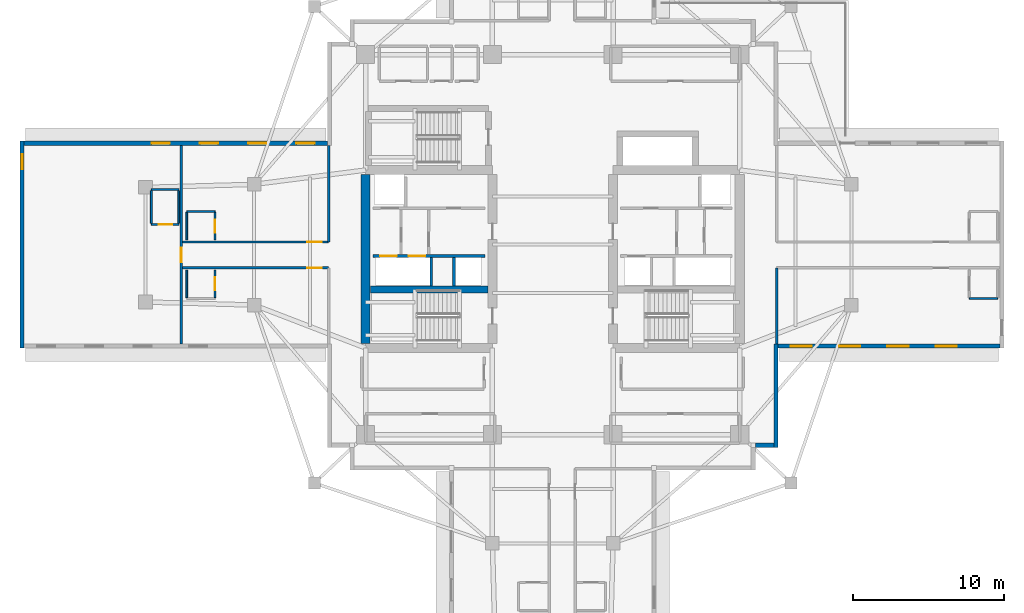
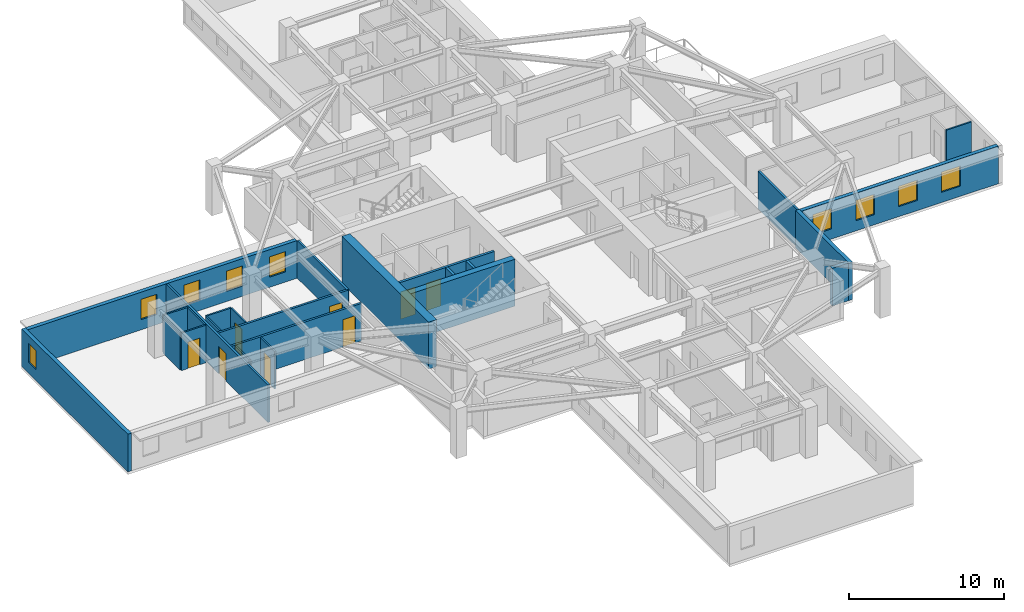
# One storey, part 4 of 13: 25 walls, 9 windows, 8 doors, 17 openings.
"""IFC4 building model written with IfcOpenShell, lengths in metres."""

from ifc_helpers import new_model, si_unit, direction, frame, frame_2d, origin, place, context, subcontext, project, spatial, rectangle, extrude, material, layer, layer_set, type_object, element, fill, save


model = new_model("IFC4")

# Units and contexts
model_context = context("Model", 3, precision=1e-05, world=origin(), true_north=direction((0.0, 1.0)))
body_context = subcontext(model_context, "Body", "Model", "MODEL_VIEW")
ifc_project = project(units=[si_unit("LENGTHUNIT", "METRE"), si_unit("AREAUNIT", "SQUARE_METRE"), si_unit("VOLUMEUNIT", "CUBIC_METRE"), si_unit("PLANEANGLEUNIT", "RADIAN"), si_unit("MASSUNIT", "GRAM", prefix="KILO")], contexts=[model_context])

# Site, building, storey
site_placement = place(None, origin())
site = spatial("IfcSite", under=ifc_project, at=site_placement, CompositionType="ELEMENT")
building_placement = place(site_placement, origin())
building = spatial("IfcBuilding", under=site, at=building_placement, Name="Qingluan Cross Belvedere", CompositionType="ELEMENT")
storey_placement = place(building_placement, frame((0.0, 0.0, 183.89990234375)))
storey = spatial("IfcBuildingStorey", under=building, at=storey_placement, Name="L46", CompositionType="ELEMENT", Elevation=183.89990234375)

# Walls
ifc_material_1 = material(Name="Concrete C50", Category="concrete")
ifc_layer_1 = layer(ifc_material_1, 0.449951171875, Name="CoreShearWall_450")
ifc_layer_set_1 = layer_set([ifc_layer_1], Name="Concrete C50")
wall_type_1 = type_object("IfcWallType", Name="CoreShearWall_450", PredefinedType="SHEAR", material=ifc_layer_set_1)
wall_1_placement = place(storey_placement, frame((-12.094970703125, -2.9599609375, 0.0), z_axis=(0.0, 0.0, 1.0), x_axis=(1.0, 0.0, 0.0)))
element("IfcWall", 1, at=wall_1_placement, inside=storey, type_object=wall_type_1, Name="Split core W shear wall L46-M", PredefinedType="SHEAR", context=body_context, shape_type="SweptSolid", body=[
    extrude(rectangle(XDim=7.7900390625, YDim=0.449951171875, at=frame_2d((3.89501953125, 0.0))), origin(), (0.0, 0.0, 1.0), 3.7001953125),
])
ifc_material_2 = material(Name="Concrete C60", Category="concrete")
ifc_layer_2 = layer(ifc_material_2, 0.60009765625, Name="CoreShearWall_600")
ifc_layer_set_2 = layer_set([ifc_layer_2], Name="Concrete C60")
wall_type_2 = type_object("IfcWallType", Name="CoreShearWall_600", PredefinedType="SHEAR", material=ifc_layer_set_2)
wall_2_placement = place(storey_placement, frame((-12.39990234375, -6.544921875, 0.0), z_axis=(0.0, 0.0, 1.0), x_axis=(0.0, 1.0, 0.0)))
element("IfcWall", 2, at=wall_2_placement, inside=storey, type_object=wall_type_2, Name="Split core W shear wall L46-W", PredefinedType="SHEAR", context=body_context, shape_type="SweptSolid", body=[
    extrude(rectangle(XDim=11.18994140625, YDim=0.60009765625, at=frame_2d((5.594970703125, 0.0))), origin(), (0.0, 0.0, 1.0), 3.7001953125),
])
ifc_material_3 = material(Name="Gypsum plasterboard on steel stud acoustic partition", Category="steel")
ifc_layer_3 = layer(ifc_material_3, 0.159912109375, Name="CorridorPartition_160")
ifc_layer_set_3 = layer_set([ifc_layer_3], Name="Gypsum plasterboard on steel stud acoustic partition")
wall_type_3 = type_object("IfcWallType", Name="CorridorPartition_160", PredefinedType="PARTITIONING", material=ifc_layer_set_3)
wall_3_placement = place(storey_placement, frame((14.85009765625, -1.5400390625, 0.0), z_axis=(0.0, 0.0, 1.0), x_axis=(0.0, -1.0, 0.0)))
element("IfcWall", 3, at=wall_3_placement, inside=storey, type_object=wall_type_3, Name="Partition L46:E:s1", PredefinedType="PARTITIONING", context=body_context, shape_type="SweptSolid", body=[
    extrude(rectangle(XDim=5.031982421875, YDim=0.159912109375, at=frame_2d((2.51611328125, 0.0))), origin(), (0.0, 0.0, 1.0), 2.960205078125),
])

# Wall, opening, door
wall_4_placement = place(storey_placement, frame((-14.85009765625, 0.179931640625, 0.0), z_axis=(0.0, 0.0, 1.0), x_axis=(-1.0, 0.0, 0.0)))
wall_4 = element("IfcWall", 4, at=wall_4_placement, inside=storey, type_object=wall_type_3, Name="Partition L46:W:c0", PredefinedType="PARTITIONING", context=body_context, shape_type="SweptSolid", body=[
    extrude(rectangle(XDim=9.699951171875, YDim=0.159912109375, at=frame_2d((4.85009765625, 0.0))), origin(), (0.0, 0.0, 1.0), 2.960205078125),
])
opening_1_placement = place(wall_4_placement, frame((0.449951171875, 0.0, 0.0)))
opening_1 = element("IfcOpeningElement", 5, at=opening_1_placement, cuts=wall_4, Name="Opening GD-10", PredefinedType="OPENING", context=body_context, shape_type="SweptSolid", body=[
    extrude(rectangle(XDim=0.9599609375, YDim=2.14990234375, at=frame_2d((0.47998046875, 1.074951171875))), frame((0.0, 0.08984375, 0.0), z_axis=(0.0, -1.0, 0.0), x_axis=(1.0, 0.0, 0.0)), (0.0, 0.0, 1.0), 0.179931640625),
])
ifc_material_4 = material(Name="Timber oak fire-rated acoustic guestroom door", Category="wood")
door_type_1 = type_object("IfcDoorType", Name="GuestEntryDoor_FD60", OperationType="NOTDEFINED", PredefinedType="DOOR", material=ifc_material_4)
door_1_placement = place(opening_1_placement, origin())
door_1 = element("IfcDoor", 6, at=door_1_placement, inside=storey, type_object=door_type_1, Name="Guest entry fire door 4603", OperationType="SINGLE_SWING_RIGHT", OverallHeight=2.14990234375, OverallWidth=0.9599609375, PredefinedType="DOOR", context=body_context, shape_type="SweptSolid", body=[
    extrude(rectangle(XDim=0.9599609375, YDim=2.14990234375, at=frame_2d((0.47998046875, 1.074951171875))), frame((0.0, 0.02490234375, 0.0), z_axis=(0.0, -1.0, 0.0), x_axis=(1.0, 0.0, 0.0)), (0.0, 0.0, 1.0), 0.050048828125),
])
fill(opening_1, door_1)

# Wall
wall_5_placement = place(storey_placement, frame((-14.85009765625, 0.179931640625, 0.0), z_axis=(0.0, 0.0, 1.0), x_axis=(0.0, 1.0, 0.0)))
element("IfcWall", 7, at=wall_5_placement, inside=storey, type_object=wall_type_3, Name="Partition L46:W:s0", PredefinedType="PARTITIONING", context=body_context, shape_type="SweptSolid", body=[
    extrude(rectangle(XDim=6.39208984375, YDim=0.159912109375, at=frame_2d((3.196044921875, 0.0))), origin(), (0.0, 0.0, 1.0), 2.960205078125),
])

# Wall, opening, door
wall_6_placement = place(storey_placement, frame((-14.85009765625, -1.5400390625, 0.0), z_axis=(0.0, 0.0, 1.0), x_axis=(-1.0, 0.0, 0.0)))
wall_6 = element("IfcWall", 8, at=wall_6_placement, inside=storey, type_object=wall_type_3, Name="Partition L46:W:c1", PredefinedType="PARTITIONING", context=body_context, shape_type="SweptSolid", body=[
    extrude(rectangle(XDim=9.699951171875, YDim=0.159912109375, at=frame_2d((4.85009765625, 0.0))), origin(), (0.0, 0.0, 1.0), 2.960205078125),
])
opening_2_placement = place(wall_6_placement, frame((0.449951171875, 0.0, 0.0)))
opening_2 = element("IfcOpeningElement", 9, at=opening_2_placement, cuts=wall_6, Name="Opening GD-10", PredefinedType="OPENING", context=body_context, shape_type="SweptSolid", body=[
    extrude(rectangle(XDim=0.9599609375, YDim=2.14990234375, at=frame_2d((0.47998046875, 1.074951171875))), frame((0.0, 0.08984375, 0.0), z_axis=(0.0, -1.0, 0.0), x_axis=(1.0, 0.0, 0.0)), (0.0, 0.0, 1.0), 0.179931640625),
])
door_2_placement = place(opening_2_placement, origin())
door_2 = element("IfcDoor", 10, at=door_2_placement, inside=storey, type_object=door_type_1, Name="Guest entry fire door 4604", OperationType="SINGLE_SWING_RIGHT", OverallHeight=2.14990234375, OverallWidth=0.9599609375, PredefinedType="DOOR", context=body_context, shape_type="SweptSolid", body=[
    extrude(rectangle(XDim=0.9599609375, YDim=2.14990234375, at=frame_2d((0.47998046875, 1.074951171875))), frame((0.0, 0.02490234375, 0.0), z_axis=(0.0, -1.0, 0.0), x_axis=(1.0, 0.0, 0.0)), (0.0, 0.0, 1.0), 0.050048828125),
])
fill(opening_2, door_2)

wall_7_placement = place(storey_placement, frame((-24.6298828125, -6.572021484375, 0.0), z_axis=(0.0, 0.0, 1.0), x_axis=(0.0, 1.0, 0.0)))
wall_7 = element("IfcWall", 11, at=wall_7_placement, inside=storey, type_object=wall_type_3, Name="Partition L46:Wcap:in", PredefinedType="PARTITIONING", context=body_context, shape_type="SweptSolid", body=[
    extrude(rectangle(XDim=13.14404296875, YDim=0.159912109375, at=frame_2d((6.572021484375, 0.0))), origin(), (0.0, 0.0, 1.0), 2.960205078125),
])
opening_3_placement = place(wall_7_placement, frame((5.412109375, 0.0, 0.0)))
opening_3 = element("IfcOpeningElement", 12, at=opening_3_placement, cuts=wall_7, Name="Opening GD-10", PredefinedType="OPENING", context=body_context, shape_type="SweptSolid", body=[
    extrude(rectangle(XDim=0.9599609375, YDim=2.14990234375, at=frame_2d((0.47998046875, 1.074951171875))), frame((0.0, 0.08984375, 0.0), z_axis=(0.0, -1.0, 0.0), x_axis=(1.0, 0.0, 0.0)), (0.0, 0.0, 1.0), 0.179931640625),
])
door_3_placement = place(opening_3_placement, origin())
door_3 = element("IfcDoor", 13, at=door_3_placement, inside=storey, type_object=door_type_1, Name="Presidential suite entrance door L46W", OperationType="SINGLE_SWING_LEFT", OverallHeight=2.14990234375, OverallWidth=0.9599609375, PredefinedType="DOOR", context=body_context, shape_type="SweptSolid", body=[
    extrude(rectangle(XDim=0.9599609375, YDim=2.14990234375, at=frame_2d((0.47998046875, 1.074951171875))), frame((0.0, 0.02490234375, 0.0), z_axis=(0.0, -1.0, 0.0), x_axis=(1.0, 0.0, 0.0)), (0.0, 0.0, 1.0), 0.050048828125),
])
fill(opening_3, door_3)

# Wall
ifc_material_5 = material(Name="Moisture-resistant gypsum board lining")
ifc_layer_4 = layer(ifc_material_5, 0.1201171875, Name="EnsuiteWetPartition_120")
ifc_layer_set_4 = layer_set([ifc_layer_4], Name="Moisture-resistant gypsum board lining")
wall_type_4 = type_object("IfcWallType", Name="EnsuiteWetPartition_120", PredefinedType="PARTITIONING", material=ifc_layer_set_4)
wall_8_placement = place(storey_placement, frame((27.6201171875, -3.56494140625, 0.0), z_axis=(0.0, 0.0, 1.0), x_axis=(1.0, 0.0, 0.0)))
element("IfcWall", 14, at=wall_8_placement, inside=storey, type_object=wall_type_4, Name="Partition L46:E:bc1_0", PredefinedType="PARTITIONING", context=body_context, shape_type="SweptSolid", body=[
    extrude(rectangle(XDim=1.8798828125, YDim=0.1201171875, at=frame_2d((0.93994140625, 0.0))), origin(), (0.0, 0.0, 1.0), 2.960205078125),
])

# Wall, opening, door
wall_9_placement = place(storey_placement, frame((-22.389892578125, 0.320068359375, 0.0), z_axis=(0.0, 0.0, 1.0), x_axis=(0.0, 1.0, 0.0)))
wall_9 = element("IfcWall", 15, at=wall_9_placement, inside=storey, type_object=wall_type_4, Name="Partition L46:W:bs0_0", PredefinedType="PARTITIONING", context=body_context, shape_type="SweptSolid", body=[
    extrude(rectangle(XDim=1.81982421875, YDim=0.1201171875, at=frame_2d((0.909912109375, 0.0))), origin(), (0.0, 0.0, 1.0), 2.960205078125),
])
opening_4_placement = place(wall_9_placement, frame((0.469970703125, 0.0, 0.0)))
opening_4 = element("IfcOpeningElement", 16, at=opening_4_placement, cuts=wall_9, Name="Opening BD-09", PredefinedType="OPENING", context=body_context, shape_type="SweptSolid", body=[
    extrude(rectangle(XDim=0.8798828125, YDim=2.10009765625, at=frame_2d((0.43994140625, 1.050048828125))), frame((0.0, 0.070068359375, 0.0), z_axis=(0.0, -1.0, 0.0), x_axis=(1.0, 0.0, 0.0)), (0.0, 0.0, 1.0), 0.14013671875),
])
ifc_material_6 = material(Name="Moisture-sealed timber en-suite door", Category="wood")
door_type_2 = type_object("IfcDoorType", Name="BathroomDoor_880", OperationType="NOTDEFINED", PredefinedType="DOOR", material=ifc_material_6)
door_4_placement = place(opening_4_placement, origin())
door_4 = element("IfcDoor", 17, at=door_4_placement, inside=storey, type_object=door_type_2, Name="Bathroom door 4603", OperationType="SINGLE_SWING_LEFT", OverallHeight=2.10009765625, OverallWidth=0.8798828125, PredefinedType="DOOR", context=body_context, shape_type="SweptSolid", body=[
    extrude(rectangle(XDim=0.8798828125, YDim=2.10009765625, at=frame_2d((0.43994140625, 1.050048828125))), frame((0.0, 0.02490234375, 0.0), z_axis=(0.0, -1.0, 0.0), x_axis=(1.0, 0.0, 0.0)), (0.0, 0.0, 1.0), 0.050048828125),
])
fill(opening_4, door_4)

# Walls
wall_10_placement = place(storey_placement, frame((-24.27001953125, 0.320068359375, 0.0), z_axis=(0.0, 0.0, 1.0), x_axis=(0.0, 1.0, 0.0)))
element("IfcWall", 18, at=wall_10_placement, inside=storey, type_object=wall_type_4, Name="Partition L46:W:bw0_0", PredefinedType="PARTITIONING", context=body_context, shape_type="SweptSolid", body=[
    extrude(rectangle(XDim=1.81982421875, YDim=0.1201171875, at=frame_2d((0.909912109375, 0.0))), origin(), (0.0, 0.0, 1.0), 2.960205078125),
])
wall_11_placement = place(storey_placement, frame((-22.389892578125, 2.205078125, 0.0), z_axis=(0.0, 0.0, 1.0), x_axis=(-1.0, 0.0, 0.0)))
element("IfcWall", 19, at=wall_11_placement, inside=storey, type_object=wall_type_4, Name="Partition L46:W:bn0_0", PredefinedType="PARTITIONING", context=body_context, shape_type="SweptSolid", body=[
    extrude(rectangle(XDim=1.880126953125, YDim=0.1201171875, at=frame_2d((0.93994140625, 0.0))), origin(), (0.0, 0.0, 1.0), 2.960205078125),
])

# Wall, opening, door
wall_12_placement = place(storey_placement, frame((-22.389892578125, -3.5, 0.0), z_axis=(0.0, 0.0, 1.0), x_axis=(0.0, 1.0, 0.0)))
wall_12 = element("IfcWall", 20, at=wall_12_placement, inside=storey, type_object=wall_type_4, Name="Partition L46:W:bs1_0", PredefinedType="PARTITIONING", context=body_context, shape_type="SweptSolid", body=[
    extrude(rectangle(XDim=1.820068359375, YDim=0.1201171875, at=frame_2d((0.91015625, 0.0))), origin(), (0.0, 0.0, 1.0), 2.960205078125),
])
opening_5_placement = place(wall_12_placement, frame((0.469970703125, 0.0, 0.0)))
opening_5 = element("IfcOpeningElement", 21, at=opening_5_placement, cuts=wall_12, Name="Opening BD-09", PredefinedType="OPENING", context=body_context, shape_type="SweptSolid", body=[
    extrude(rectangle(XDim=0.8798828125, YDim=2.10009765625, at=frame_2d((0.43994140625, 1.050048828125))), frame((0.0, 0.070068359375, 0.0), z_axis=(0.0, -1.0, 0.0), x_axis=(1.0, 0.0, 0.0)), (0.0, 0.0, 1.0), 0.14013671875),
])
door_5_placement = place(opening_5_placement, origin())
door_5 = element("IfcDoor", 22, at=door_5_placement, inside=storey, type_object=door_type_2, Name="Bathroom door 4604", OperationType="SINGLE_SWING_LEFT", OverallHeight=2.10009765625, OverallWidth=0.8798828125, PredefinedType="DOOR", context=body_context, shape_type="SweptSolid", body=[
    extrude(rectangle(XDim=0.8798828125, YDim=2.10009765625, at=frame_2d((0.43994140625, 1.050048828125))), frame((0.0, 0.02490234375, 0.0), z_axis=(0.0, -1.0, 0.0), x_axis=(1.0, 0.0, 0.0)), (0.0, 0.0, 1.0), 0.050048828125),
])
fill(opening_5, door_5)

# Walls
wall_13_placement = place(storey_placement, frame((-24.27001953125, -3.5, 0.0), z_axis=(0.0, 0.0, 1.0), x_axis=(0.0, 1.0, 0.0)))
element("IfcWall", 23, at=wall_13_placement, inside=storey, type_object=wall_type_4, Name="Partition L46:W:bw1_0", PredefinedType="PARTITIONING", context=body_context, shape_type="SweptSolid", body=[
    extrude(rectangle(XDim=1.820068359375, YDim=0.1201171875, at=frame_2d((0.91015625, 0.0))), origin(), (0.0, 0.0, 1.0), 2.960205078125),
])
for number, where, z_axis, x_axis, name in (
    (24, (-24.7900390625, 1.409912109375, 0.0), (0.0, 0.0, 1.0), (0.0, 1.0, 0.0), "Partition L46:Wcap:ba"),
    (25, (-26.610107421875, 1.409912109375, 0.0), (0.0, 0.0, 1.0), (0.0, 1.0, 0.0), "Partition L46:Wcap:bb"),
):
    element("IfcWall", number, at=place(storey_placement, frame(where, z_axis=z_axis, x_axis=x_axis)), inside=storey, type_object=wall_type_4, Name=name, PredefinedType="PARTITIONING", context=body_context, shape_type="SweptSolid", body=[
        extrude(rectangle(XDim=2.18017578125, YDim=0.1201171875, at=frame_2d((1.090087890625, 0.0))), origin(), (0.0, 0.0, 1.0), 2.960205078125),
    ])

# Wall, opening, door
wall_14_placement = place(storey_placement, frame((-24.7900390625, 1.340087890625, 0.0), z_axis=(0.0, 0.0, 1.0), x_axis=(-1.0, 0.0, 0.0)))
wall_14 = element("IfcWall", 26, at=wall_14_placement, inside=storey, type_object=wall_type_4, Name="Partition L46:Wcap:bs", PredefinedType="PARTITIONING", context=body_context, shape_type="SweptSolid", body=[
    extrude(rectangle(XDim=1.820068359375, YDim=0.1201171875, at=frame_2d((0.91015625, 0.0))), origin(), (0.0, 0.0, 1.0), 2.960205078125),
])
opening_6_placement = place(wall_14_placement, frame((0.449951171875, 0.0, 0.0)))
opening_6 = element("IfcOpeningElement", 27, at=opening_6_placement, cuts=wall_14, Name="Opening BD-09", PredefinedType="OPENING", context=body_context, shape_type="SweptSolid", body=[
    extrude(rectangle(XDim=0.8798828125, YDim=2.10009765625, at=frame_2d((0.43994140625, 1.050048828125))), frame((0.0, 0.070068359375, 0.0), z_axis=(0.0, -1.0, 0.0), x_axis=(1.0, 0.0, 0.0)), (0.0, 0.0, 1.0), 0.14013671875),
])
door_6_placement = place(opening_6_placement, origin())
door_6 = element("IfcDoor", 28, at=door_6_placement, inside=storey, type_object=door_type_2, Name="En-suite bathroom door L46W", OperationType="SINGLE_SWING_RIGHT", OverallHeight=2.10009765625, OverallWidth=0.8798828125, PredefinedType="DOOR", context=body_context, shape_type="SweptSolid", body=[
    extrude(rectangle(XDim=0.8798828125, YDim=2.10009765625, at=frame_2d((0.43994140625, 1.050048828125))), frame((0.0, 0.02490234375, 0.0), z_axis=(0.0, -1.0, 0.0), x_axis=(1.0, 0.0, 0.0)), (0.0, 0.0, 1.0), 0.050048828125),
])
fill(opening_6, door_6)

# Wall
wall_15_placement = place(storey_placement, frame((-24.7900390625, 3.659912109375, 0.0), z_axis=(0.0, 0.0, 1.0), x_axis=(-1.0, 0.0, 0.0)))
element("IfcWall", 29, at=wall_15_placement, inside=storey, type_object=wall_type_4, Name="Partition L46:Wcap:bn", PredefinedType="PARTITIONING", context=body_context, shape_type="SweptSolid", body=[
    extrude(rectangle(XDim=1.820068359375, YDim=0.1201171875, at=frame_2d((0.91015625, 0.0))), origin(), (0.0, 0.0, 1.0), 2.960205078125),
])

# Wall, openings, windows
ifc_material_7 = material(Name="Precast concrete C45", Category="concrete")
ifc_layer_5 = layer(ifc_material_7, 0.280029296875, Name="PrecastFacadeWall_280")
ifc_layer_set_5 = layer_set([ifc_layer_5], Name="Precast concrete C45")
wall_type_5 = type_object("IfcWallType", Name="PrecastFacadeWall_280", PredefinedType="STANDARD", material=ifc_layer_set_5)
wall_16_placement = place(storey_placement, frame((14.93994140625, -6.719970703125, 0.0), z_axis=(0.0, 0.0, 1.0), x_axis=(1.0, 0.0, 0.0)))
wall_16 = element("IfcWall", 30, at=wall_16_placement, inside=storey, type_object=wall_type_5, Name="Facade wall L46-EA", PredefinedType="STANDARD", context=body_context, shape_type="SweptSolid", body=[
    extrude(rectangle(XDim=14.699951171875, YDim=0.280029296875, at=frame_2d((7.35009765625, 0.0))), origin(), (0.0, 0.0, 1.0), 2.97021484375),
])
opening_7_placement = place(wall_16_placement, frame((0.85009765625, 0.0, 0.800048828125)))
opening_7 = element("IfcOpeningElement", 31, at=opening_7_placement, cuts=wall_16, Name="Opening W-01", PredefinedType="OPENING", context=body_context, shape_type="SweptSolid", body=[
    extrude(rectangle(XDim=1.39990234375, YDim=1.60009765625, at=frame_2d((0.699951171875, 0.800048828125))), frame((0.0, 0.14990234375, 0.0), z_axis=(0.0, -1.0, 0.0), x_axis=(1.0, 0.0, 0.0)), (0.0, 0.0, 1.0), 0.300048828125),
])
opening_8_placement = place(wall_16_placement, frame((4.050048828125, 0.0, 0.800048828125)))
opening_8 = element("IfcOpeningElement", 32, at=opening_8_placement, cuts=wall_16, Name="Opening W-01", PredefinedType="OPENING", context=body_context, shape_type="SweptSolid", body=[
    extrude(rectangle(XDim=1.39990234375, YDim=1.60009765625, at=frame_2d((0.699951171875, 0.800048828125))), frame((0.0, 0.14990234375, 0.0), z_axis=(0.0, -1.0, 0.0), x_axis=(1.0, 0.0, 0.0)), (0.0, 0.0, 1.0), 0.300048828125),
])
opening_9_placement = place(wall_16_placement, frame((7.25, 0.0, 0.800048828125)))
opening_9 = element("IfcOpeningElement", 33, at=opening_9_placement, cuts=wall_16, Name="Opening W-01", PredefinedType="OPENING", context=body_context, shape_type="SweptSolid", body=[
    extrude(rectangle(XDim=1.39990234375, YDim=1.60009765625, at=frame_2d((0.699951171875, 0.800048828125))), frame((0.0, 0.14990234375, 0.0), z_axis=(0.0, -1.0, 0.0), x_axis=(1.0, 0.0, 0.0)), (0.0, 0.0, 1.0), 0.300048828125),
])
opening_10_placement = place(wall_16_placement, frame((10.449951171875, 0.0, 0.800048828125)))
opening_10 = element("IfcOpeningElement", 34, at=opening_10_placement, cuts=wall_16, Name="Opening W-01", PredefinedType="OPENING", context=body_context, shape_type="SweptSolid", body=[
    extrude(rectangle(XDim=1.39990234375, YDim=1.60009765625, at=frame_2d((0.699951171875, 0.800048828125))), frame((0.0, 0.14990234375, 0.0), z_axis=(0.0, -1.0, 0.0), x_axis=(1.0, 0.0, 0.0)), (0.0, 0.0, 1.0), 0.300048828125),
])
ifc_material_8 = material(Name="Thermally broken triple Low-E glass in aluminium frame", Category="aluminium")
window_type_1 = type_object("IfcWindowType", Name="TriRibbonWin_1400x1600", PartitioningType="SINGLE_PANEL", PredefinedType="WINDOW", material=ifc_material_8)
window_1_placement = place(opening_7_placement, origin())
window_1 = element("IfcWindow", 35, at=window_1_placement, inside=storey, type_object=window_type_1, Name="Ribbon window L46-EA-1", OverallHeight=1.60009765625, OverallWidth=1.39990234375, PartitioningType="SINGLE_PANEL", PredefinedType="WINDOW", context=body_context, shape_type="SweptSolid", body=[
    extrude(rectangle(XDim=1.39990234375, YDim=1.60009765625, at=frame_2d((0.699951171875, 0.800048828125))), frame((0.0, 0.030029296875, 0.0), z_axis=(0.0, -1.0, 0.0), x_axis=(1.0, 0.0, 0.0)), (0.0, 0.0, 1.0), 0.06005859375),
])
fill(opening_7, window_1)
window_2_placement = place(opening_8_placement, origin())
window_2 = element("IfcWindow", 36, at=window_2_placement, inside=storey, type_object=window_type_1, Name="Ribbon window L46-EA-2", OverallHeight=1.60009765625, OverallWidth=1.39990234375, PartitioningType="SINGLE_PANEL", PredefinedType="WINDOW", context=body_context, shape_type="SweptSolid", body=[
    extrude(rectangle(XDim=1.39990234375, YDim=1.60009765625, at=frame_2d((0.699951171875, 0.800048828125))), frame((0.0, 0.030029296875, 0.0), z_axis=(0.0, -1.0, 0.0), x_axis=(1.0, 0.0, 0.0)), (0.0, 0.0, 1.0), 0.06005859375),
])
fill(opening_8, window_2)
window_3_placement = place(opening_9_placement, origin())
window_3 = element("IfcWindow", 37, at=window_3_placement, inside=storey, type_object=window_type_1, Name="Ribbon window L46-EA-3", OverallHeight=1.60009765625, OverallWidth=1.39990234375, PartitioningType="SINGLE_PANEL", PredefinedType="WINDOW", context=body_context, shape_type="SweptSolid", body=[
    extrude(rectangle(XDim=1.39990234375, YDim=1.60009765625, at=frame_2d((0.699951171875, 0.800048828125))), frame((0.0, 0.030029296875, 0.0), z_axis=(0.0, -1.0, 0.0), x_axis=(1.0, 0.0, 0.0)), (0.0, 0.0, 1.0), 0.06005859375),
])
fill(opening_9, window_3)
window_4_placement = place(opening_10_placement, origin())
window_4 = element("IfcWindow", 38, at=window_4_placement, inside=storey, type_object=window_type_1, Name="Ribbon window L46-EA-4", OverallHeight=1.60009765625, OverallWidth=1.39990234375, PartitioningType="SINGLE_PANEL", PredefinedType="WINDOW", context=body_context, shape_type="SweptSolid", body=[
    extrude(rectangle(XDim=1.39990234375, YDim=1.60009765625, at=frame_2d((0.699951171875, 0.800048828125))), frame((0.0, 0.030029296875, 0.0), z_axis=(0.0, -1.0, 0.0), x_axis=(1.0, 0.0, 0.0)), (0.0, 0.0, 1.0), 0.06005859375),
])
fill(opening_10, window_4)

wall_17_placement = place(storey_placement, frame((-14.93994140625, 6.719970703125, 0.0), z_axis=(0.0, 0.0, 1.0), x_axis=(-1.0, 0.0, 0.0)))
wall_17 = element("IfcWall", 39, at=wall_17_placement, inside=storey, type_object=wall_type_5, Name="Facade wall L46-WA", PredefinedType="STANDARD", context=body_context, shape_type="SweptSolid", body=[
    extrude(rectangle(XDim=20.10009765625, YDim=0.280029296875, at=frame_2d((10.050048828125, 0.0))), origin(), (0.0, 0.0, 1.0), 2.97021484375),
])
opening_11_placement = place(wall_17_placement, frame((0.85009765625, 0.0, 0.800048828125)))
opening_11 = element("IfcOpeningElement", 40, at=opening_11_placement, cuts=wall_17, Name="Opening W-02", PredefinedType="OPENING", context=body_context, shape_type="SweptSolid", body=[
    extrude(rectangle(XDim=1.199951171875, YDim=1.60009765625, at=frame_2d((0.60009765625, 0.800048828125))), frame((0.0, 0.14990234375, 0.0), z_axis=(0.0, -1.0, 0.0), x_axis=(1.0, 0.0, 0.0)), (0.0, 0.0, 1.0), 0.300048828125),
])
opening_12_placement = place(wall_17_placement, frame((4.050048828125, 0.0, 0.800048828125)))
opening_12 = element("IfcOpeningElement", 41, at=opening_12_placement, cuts=wall_17, Name="Opening W-02", PredefinedType="OPENING", context=body_context, shape_type="SweptSolid", body=[
    extrude(rectangle(XDim=1.199951171875, YDim=1.60009765625, at=frame_2d((0.60009765625, 0.800048828125))), frame((0.0, 0.14990234375, 0.0), z_axis=(0.0, -1.0, 0.0), x_axis=(1.0, 0.0, 0.0)), (0.0, 0.0, 1.0), 0.300048828125),
])
opening_13_placement = place(wall_17_placement, frame((7.25, 0.0, 0.800048828125)))
opening_13 = element("IfcOpeningElement", 42, at=opening_13_placement, cuts=wall_17, Name="Opening W-02", PredefinedType="OPENING", context=body_context, shape_type="SweptSolid", body=[
    extrude(rectangle(XDim=1.199951171875, YDim=1.60009765625, at=frame_2d((0.60009765625, 0.800048828125))), frame((0.0, 0.14990234375, 0.0), z_axis=(0.0, -1.0, 0.0), x_axis=(1.0, 0.0, 0.0)), (0.0, 0.0, 1.0), 0.300048828125),
])
opening_14_placement = place(wall_17_placement, frame((10.449951171875, 0.0, 0.800048828125)))
opening_14 = element("IfcOpeningElement", 43, at=opening_14_placement, cuts=wall_17, Name="Opening W-02", PredefinedType="OPENING", context=body_context, shape_type="SweptSolid", body=[
    extrude(rectangle(XDim=1.199951171875, YDim=1.60009765625, at=frame_2d((0.60009765625, 0.800048828125))), frame((0.0, 0.14990234375, 0.0), z_axis=(0.0, -1.0, 0.0), x_axis=(1.0, 0.0, 0.0)), (0.0, 0.0, 1.0), 0.300048828125),
])
ifc_material_9 = material(Name="Thermally broken triple Low-E glass in aluminium frame", Category="aluminium")
window_type_2 = type_object("IfcWindowType", Name="TriRibbonWin_1200x1600", PartitioningType="SINGLE_PANEL", PredefinedType="WINDOW", material=ifc_material_9)
window_5_placement = place(opening_11_placement, origin())
window_5 = element("IfcWindow", 44, at=window_5_placement, inside=storey, type_object=window_type_2, Name="Ribbon window L46-WA-1", OverallHeight=1.60009765625, OverallWidth=1.199951171875, PartitioningType="SINGLE_PANEL", PredefinedType="WINDOW", context=body_context, shape_type="SweptSolid", body=[
    extrude(rectangle(XDim=1.199951171875, YDim=1.60009765625, at=frame_2d((0.60009765625, 0.800048828125))), frame((0.0, 0.030029296875, 0.0), z_axis=(0.0, -1.0, 0.0), x_axis=(1.0, 0.0, 0.0)), (0.0, 0.0, 1.0), 0.06005859375),
])
fill(opening_11, window_5)
window_6_placement = place(opening_12_placement, origin())
window_6 = element("IfcWindow", 45, at=window_6_placement, inside=storey, type_object=window_type_2, Name="Ribbon window L46-WA-2", OverallHeight=1.60009765625, OverallWidth=1.199951171875, PartitioningType="SINGLE_PANEL", PredefinedType="WINDOW", context=body_context, shape_type="SweptSolid", body=[
    extrude(rectangle(XDim=1.199951171875, YDim=1.60009765625, at=frame_2d((0.60009765625, 0.800048828125))), frame((0.0, 0.030029296875, 0.0), z_axis=(0.0, -1.0, 0.0), x_axis=(1.0, 0.0, 0.0)), (0.0, 0.0, 1.0), 0.06005859375),
])
fill(opening_12, window_6)
window_7_placement = place(opening_13_placement, origin())
window_7 = element("IfcWindow", 46, at=window_7_placement, inside=storey, type_object=window_type_2, Name="Ribbon window L46-WA-3", OverallHeight=1.60009765625, OverallWidth=1.199951171875, PartitioningType="SINGLE_PANEL", PredefinedType="WINDOW", context=body_context, shape_type="SweptSolid", body=[
    extrude(rectangle(XDim=1.199951171875, YDim=1.60009765625, at=frame_2d((0.60009765625, 0.800048828125))), frame((0.0, 0.030029296875, 0.0), z_axis=(0.0, -1.0, 0.0), x_axis=(1.0, 0.0, 0.0)), (0.0, 0.0, 1.0), 0.06005859375),
])
fill(opening_13, window_7)
window_8_placement = place(opening_14_placement, origin())
window_8 = element("IfcWindow", 47, at=window_8_placement, inside=storey, type_object=window_type_2, Name="Ribbon window L46-WA-4", OverallHeight=1.60009765625, OverallWidth=1.199951171875, PartitioningType="SINGLE_PANEL", PredefinedType="WINDOW", context=body_context, shape_type="SweptSolid", body=[
    extrude(rectangle(XDim=1.199951171875, YDim=1.60009765625, at=frame_2d((0.60009765625, 0.800048828125))), frame((0.0, 0.030029296875, 0.0), z_axis=(0.0, -1.0, 0.0), x_axis=(1.0, 0.0, 0.0)), (0.0, 0.0, 1.0), 0.06005859375),
])
fill(opening_14, window_8)

# Wall, opening, window
wall_18_placement = place(storey_placement, frame((-35.179931640625, 6.860107421875, 0.0), z_axis=(0.0, 0.0, 1.0), x_axis=(0.0, -1.0, 0.0)))
wall_18 = element("IfcWall", 48, at=wall_18_placement, inside=storey, type_object=wall_type_5, Name="Arm tip precast facade wall L46-W", PredefinedType="STANDARD", context=body_context, shape_type="SweptSolid", body=[
    extrude(rectangle(XDim=13.72021484375, YDim=0.280029296875, at=frame_2d((6.860107421875, 0.0))), origin(), (0.0, 0.0, 1.0), 2.97021484375),
])
opening_15_placement = place(wall_18_placement, frame((0.85009765625, 0.0, 0.85009765625)))
opening_15 = element("IfcOpeningElement", 49, at=opening_15_placement, cuts=wall_18, Name="Opening W-03", PredefinedType="OPENING", context=body_context, shape_type="SweptSolid", body=[
    extrude(rectangle(XDim=1.0, YDim=1.5, at=frame_2d((0.5, 0.75))), frame((0.0, 0.14990234375, 0.0), z_axis=(0.0, -1.0, 0.0), x_axis=(1.0, 0.0, 0.0)), (0.0, 0.0, 1.0), 0.300048828125),
])
ifc_material_10 = material(Name="Thermally broken triple Low-E glass in aluminium frame", Category="aluminium")
window_type_3 = type_object("IfcWindowType", Name="TriApexWin_1000x1500", PartitioningType="SINGLE_PANEL", PredefinedType="WINDOW", material=ifc_material_10)
window_9_placement = place(opening_15_placement, origin())
window_9 = element("IfcWindow", 50, at=window_9_placement, inside=storey, type_object=window_type_3, Name="Arm tip triangular window L46-W", OverallHeight=1.5, OverallWidth=1.0, PartitioningType="SINGLE_PANEL", PredefinedType="WINDOW", context=body_context, shape_type="SweptSolid", body=[
    extrude(rectangle(XDim=1.0, YDim=1.5, at=frame_2d((0.5, 0.75))), frame((0.0, 0.030029296875, 0.0), z_axis=(0.0, -1.0, 0.0), x_axis=(1.0, 0.0, 0.0)), (0.0, 0.0, 1.0), 0.06005859375),
])
fill(opening_15, window_9)

# Walls
wall_19_placement = place(storey_placement, frame((14.800048828125, -6.580078125, 0.0), z_axis=(0.0, 0.0, 1.0), x_axis=(0.0, -1.0, 0.0)))
element("IfcWall", 51, at=wall_19_placement, inside=storey, type_object=wall_type_5, Name="Corner wall L46-SE1", PredefinedType="STANDARD", context=body_context, shape_type="SweptSolid", body=[
    extrude(rectangle(XDim=6.85986328125, YDim=0.280029296875, at=frame_2d((3.429931640625, 0.0))), origin(), (0.0, 0.0, 1.0), 2.97021484375),
])
wall_20_placement = place(storey_placement, frame((14.659912109375, -13.300048828125, 0.0), z_axis=(0.0, 0.0, 1.0), x_axis=(-1.0, 0.0, 0.0)))
element("IfcWall", 52, at=wall_20_placement, inside=storey, type_object=wall_type_5, Name="Corner wall L46-SE2", PredefinedType="STANDARD", context=body_context, shape_type="SweptSolid", body=[
    extrude(rectangle(XDim=1.219970703125, YDim=0.280029296875, at=frame_2d((0.60986328125, 0.0))), origin(), (0.0, 0.0, 1.0), 2.97021484375),
])

# Wall, openings, doors
ifc_material_11 = material(Name="Concrete C40", Category="concrete")
ifc_layer_6 = layer(ifc_material_11, 0.219970703125, Name="ShaftEnclosureWall_250")
ifc_layer_set_6 = layer_set([ifc_layer_6], Name="Concrete C40")
wall_type_6 = type_object("IfcWallType", Name="ShaftEnclosureWall_250", PredefinedType="SOLIDWALL", material=ifc_layer_set_6)
wall_21_placement = place(storey_placement, frame((-11.89990234375, -0.75, 0.0), z_axis=(0.0, 0.0, 1.0), x_axis=(1.0, 0.0, 0.0)))
wall_21 = element("IfcWall", 53, at=wall_21_placement, inside=storey, type_object=wall_type_6, Name="Core-W mid hoistway wall L46", PredefinedType="SOLIDWALL", context=body_context, shape_type="SweptSolid", body=[
    extrude(rectangle(XDim=7.419921875, YDim=0.179931640625, at=frame_2d((3.7099609375, 0.0))), origin(), (0.0, 0.0, 1.0), 2.960205078125),
])
opening_16_placement = place(wall_21_placement, frame((0.449951171875, 0.0, 0.0)))
opening_16 = element("IfcOpeningElement", 54, at=opening_16_placement, cuts=wall_21, Name="Opening LD-11", PredefinedType="OPENING", context=body_context, shape_type="SweptSolid", body=[
    extrude(rectangle(XDim=1.10009765625, YDim=2.14990234375, at=frame_2d((0.550048828125, 1.074951171875))), frame((0.0, 0.099853515625, 0.0), z_axis=(0.0, -1.0, 0.0), x_axis=(1.0, 0.0, 0.0)), (0.0, 0.0, 1.0), 0.199951171875),
])
opening_17_placement = place(wall_21_placement, frame((2.35009765625, 0.0, 0.0)))
opening_17 = element("IfcOpeningElement", 55, at=opening_17_placement, cuts=wall_21, Name="Opening LD-11", PredefinedType="OPENING", context=body_context, shape_type="SweptSolid", body=[
    extrude(rectangle(XDim=1.10009765625, YDim=2.14990234375, at=frame_2d((0.550048828125, 1.074951171875))), frame((0.0, 0.099853515625, 0.0), z_axis=(0.0, -1.0, 0.0), x_axis=(1.0, 0.0, 0.0)), (0.0, 0.0, 1.0), 0.199951171875),
])
ifc_material_12 = material(Name="Brushed stainless steel centre-opening lift landing door", Category="steel")
door_type_3 = type_object("IfcDoorType", Name="LiftLandingSlidingDoor_1100", OperationType="DOUBLE_DOOR_SLIDING", PredefinedType="DOOR", material=ifc_material_12)
door_7_placement = place(opening_16_placement, origin())
door_7 = element("IfcDoor", 56, at=door_7_placement, inside=storey, type_object=door_type_3, Name="Lift landing sliding door LP5 L46", OperationType="DOUBLE_DOOR_SLIDING", OverallHeight=2.14990234375, OverallWidth=1.10009765625, PredefinedType="DOOR", context=body_context, shape_type="SweptSolid", body=[
    extrude(rectangle(XDim=1.10009765625, YDim=2.14990234375, at=frame_2d((0.550048828125, 1.074951171875))), frame((0.0, 0.02490234375, 0.0), z_axis=(0.0, -1.0, 0.0), x_axis=(1.0, 0.0, 0.0)), (0.0, 0.0, 1.0), 0.050048828125),
])
fill(opening_16, door_7)
door_8_placement = place(opening_17_placement, origin())
door_8 = element("IfcDoor", 57, at=door_8_placement, inside=storey, type_object=door_type_3, Name="Lift landing sliding door LP6 L46", OperationType="DOUBLE_DOOR_SLIDING", OverallHeight=2.14990234375, OverallWidth=1.10009765625, PredefinedType="DOOR", context=body_context, shape_type="SweptSolid", body=[
    extrude(rectangle(XDim=1.10009765625, YDim=2.14990234375, at=frame_2d((0.550048828125, 1.074951171875))), frame((0.0, 0.02490234375, 0.0), z_axis=(0.0, -1.0, 0.0), x_axis=(1.0, 0.0, 0.0)), (0.0, 0.0, 1.0), 0.050048828125),
])
fill(opening_17, door_8)

# Walls
for number, where, z_axis, x_axis, name in (
    (58, (-8.06005859375, -2.72998046875, 0.0), (0.0, 0.0, 1.0), (0.0, 1.0, 0.0), "Hoistway enclosure divider LP6E L46"),
    (59, (-6.5400390625, -2.72998046875, 0.0), (0.0, 0.0, 1.0), (0.0, 1.0, 0.0), "Hoistway enclosure divider LP8W L46"),
):
    element("IfcWall", number, at=place(storey_placement, frame(where, z_axis=z_axis, x_axis=x_axis)), inside=storey, type_object=wall_type_6, Name=name, PredefinedType="SOLIDWALL", context=body_context, shape_type="SweptSolid", body=[
        extrude(rectangle(XDim=1.889892578125, YDim=0.179931640625, at=frame_2d((0.94482421875, 0.0))), origin(), (0.0, 0.0, 1.0), 2.960205078125),
    ])

save(model, "model.ifc")
